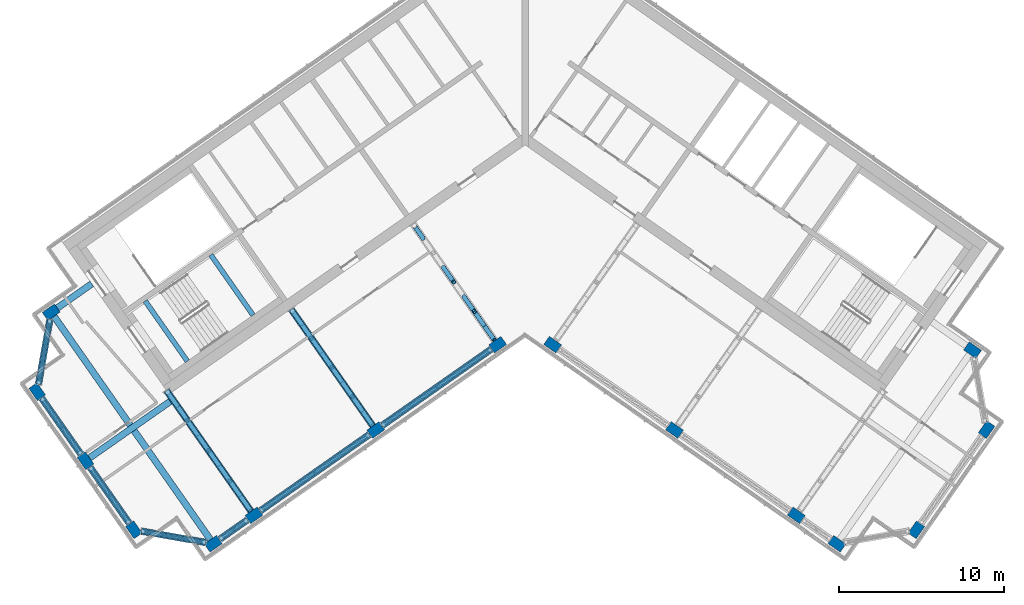
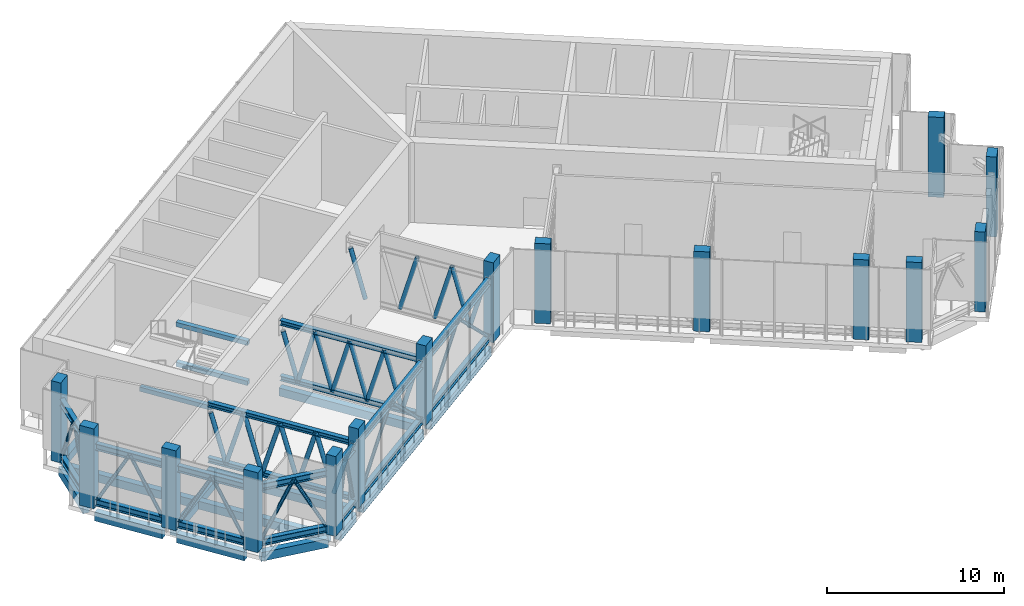
# One storey, part 1 of 16: 53 members, 15 beams, 15 columns.
"""IFC4 building model written with IfcOpenShell, lengths in metres."""

import ifcopenshell
import ifcopenshell.guid

model = None  # the IFC model being written
_history = None  # IfcOwnerHistory: only IFC2X3 demands one
_inside = {}  # id of a spatial element -> (the spatial element, [elements in it])
_under = {}  # id of a project, library or spatial element -> (it, [spatial elements below it])
_declared = {}  # id of a project -> (the project, [libraries it declares])
_typed = {}  # id of a type object -> (the type object, [elements of that type])
_made_of = {}  # id of a material, layer set ... -> (it, [elements and type objects made of it])


def new_model(schema):
    """Start an empty IFC model of exactly this schema.

    Asked for "IFC4X3", IfcOpenShell would pick the latest addendum, in which some entities
    have other attributes; the version numbers below select the first issue.
    IFC2X3 requires an IfcOwnerHistory on every rooted entity: one is made here for all.
    """
    global model, _history
    if schema == "IFC4X3":
        model = ifcopenshell.file(schema_version=(4, 3, 0, 0))
    else:
        model = ifcopenshell.file(schema=schema)
    _inside.clear()
    _under.clear()
    _declared.clear()
    _typed.clear()
    _made_of.clear()
    _history = None
    if model.schema == "IFC2X3":
        org = make("IfcOrganization", Name="unknown")
        user = make(
            "IfcPersonAndOrganization",
            ThePerson=make("IfcPerson", FamilyName="unknown"),
            TheOrganization=org,
        )
        app = make(
            "IfcApplication",
            ApplicationDeveloper=org,
            Version="unknown",
            ApplicationFullName="unknown",
            ApplicationIdentifier="unknown",
        )
        _history = make(
            "IfcOwnerHistory",
            OwningUser=user,
            OwningApplication=app,
            ChangeAction="ADDED",
            CreationDate=0,
        )
    return model


def make(cls, **values):
    """One entity of the class cls with the attributes given. An attribute that is None is left unset."""
    return model.create_entity(
        cls, **{name: value for name, value in values.items() if value is not None}
    )


def rooted(cls, **values):
    """An entity with a GlobalId (a new one), such as an element, a storey or a relation."""
    return make(cls, GlobalId=ifcopenshell.guid.new(), OwnerHistory=_history, **values)


def si_unit(unit_type, name, prefix=None):
    """IfcSIUnit, for example si_unit("LENGTHUNIT", "METRE", prefix="MILLI")."""
    return make("IfcSIUnit", UnitType=unit_type, Prefix=prefix, Name=name)


def assignment(units):
    """IfcUnitAssignment: the units of a project."""
    return None if units is None else make("IfcUnitAssignment", Units=units)


def point(xyz):
    """IfcCartesianPoint."""
    return None if xyz is None else make("IfcCartesianPoint", Coordinates=xyz)


def direction(xyz):
    """IfcDirection."""
    return None if xyz is None else make("IfcDirection", DirectionRatios=xyz)


def frame(location, z_axis=None, x_axis=None):
    """IfcAxis2Placement3D, a coordinate frame: its origin and axes. An axis left out is left unset."""
    return make(
        "IfcAxis2Placement3D",
        Location=point(location),
        Axis=direction(z_axis),
        RefDirection=direction(x_axis),
    )


def frame_2d(location, x_axis=None):
    """IfcAxis2Placement2D, a coordinate frame in the plane: its origin and x axis."""
    return make(
        "IfcAxis2Placement2D", Location=point(location), RefDirection=direction(x_axis)
    )


def origin():
    """The frame at (0, 0, 0) with its axes left unset."""
    return frame((0.0, 0.0, 0.0))


def origin_2d():
    """The frame at (0, 0) in the plane with its x axis left unset."""
    return frame_2d((0.0, 0.0))


def place(relative_to, where):
    """IfcLocalPlacement: puts the frame where relative to a parent placement (None: the world)."""
    return make(
        "IfcLocalPlacement", PlacementRelTo=relative_to, RelativePlacement=where
    )


def context(
    kind, dimensions, precision=None, world=None, true_north=None, identifier=None
):
    """IfcGeometricRepresentationContext, for example the 3D "Model" context."""
    return make(
        "IfcGeometricRepresentationContext",
        ContextIdentifier=identifier,
        ContextType=kind,
        CoordinateSpaceDimension=dimensions,
        Precision=precision,
        WorldCoordinateSystem=world,
        TrueNorth=true_north,
    )


def subcontext(parent, identifier, kind, view, scale=None):
    """IfcGeometricRepresentationSubContext, for example "Body" below "Model"."""
    return make(
        "IfcGeometricRepresentationSubContext",
        ContextIdentifier=identifier,
        ContextType=kind,
        ParentContext=parent,
        TargetScale=scale,
        TargetView=view,
    )


def project(units=None, contexts=None):
    """IfcProject with its units and contexts."""
    return rooted(
        "IfcProject",
        Name="project",
        RepresentationContexts=contexts,
        UnitsInContext=assignment(units),
    )


def spatial(cls, under=None, at=None, **own):
    """A site, building, storey or space (cls), placed at a placement, below another one or the project."""
    s = rooted(cls, ObjectPlacement=at, **own)
    if under is not None:
        _under.setdefault(under.id(), (under, []))[1].append(s)
    return s


def profile(cls, at=None, kind="AREA", **sizes):
    """A parametric profile (cls). Its sizes go by their IFC names, for example OverallWidth=200.0."""
    return make(cls, ProfileType=kind, Position=at, **sizes)


def rectangle(**sizes):
    """IfcRectangleProfileDef."""
    return profile("IfcRectangleProfileDef", **sizes)


def hollow_circle(**sizes):
    """IfcCircleHollowProfileDef."""
    return profile("IfcCircleHollowProfileDef", **sizes)


def i_section(**sizes):
    """IfcIShapeProfileDef."""
    return profile("IfcIShapeProfileDef", **sizes)


def extrude(swept, where, along, depth):
    """IfcExtrudedAreaSolid: the profile swept, set in the frame where, extruded along a direction by depth."""
    return make(
        "IfcExtrudedAreaSolid",
        SweptArea=swept,
        Position=where,
        ExtrudedDirection=direction(along),
        Depth=depth,
    )


def shape(context_of_items, identifier, shape_type, items):
    """IfcShapeRepresentation: the items that make up one representation, for example the "Body"."""
    return make(
        "IfcShapeRepresentation",
        ContextOfItems=context_of_items,
        RepresentationIdentifier=identifier,
        RepresentationType=shape_type,
        Items=items,
    )


def material(Name=None, Category=None):
    """IfcMaterial."""
    return make("IfcMaterial", Name=Name, Category=Category)


def material_profile(
    of_material, cross_section, Name=None, Category=None, Priority=None
):
    """IfcMaterialProfile: a cross section and its material."""
    return make(
        "IfcMaterialProfile",
        Name=Name,
        Material=of_material,
        Profile=cross_section,
        Priority=Priority,
        Category=Category,
    )


def profile_set(profiles, Name=None, composite=None):
    """IfcMaterialProfileSet."""
    return make(
        "IfcMaterialProfileSet",
        Name=Name,
        MaterialProfiles=profiles,
        CompositeProfile=composite,
    )


def made_of(thing, what):
    """Note that an element or type object is made of a material, layer set ...; save() writes the relation."""
    if what is not None:
        _made_of.setdefault(what.id(), (what, []))[1].append(thing)
    return thing


def type_object(cls, material=None, **own):
    """A type object (cls), such as IfcWallType, which elements share."""
    return made_of(rooted(cls, **own), material)


def element(
    cls,
    number,
    at=None,
    inside=None,
    cuts=None,
    type_object=None,
    material=None,
    context=None,
    identifier="Body",
    shape_type=None,
    held_by="IfcProductDefinitionShape",
    body=None,
    shapes=None,
    **own,
):
    """One element of the class cls, such as IfcWall. Its Tag is "e" and its number.

    at: its placement. inside: the storey or other place that contains it. cuts: it is an
    opening in that element (IfcRelVoidsElement). A single representation is given by context,
    identifier, shape_type and body (its items); several are given by shapes. held_by: the class
    of the entity that holds the representations. save() writes the other relations.
    """
    e = rooted(cls, Tag="e%d" % number, ObjectPlacement=at, **own)
    if body is not None:
        shapes = [shape(context, identifier, shape_type, body)]
    if shapes is not None:
        e.Representation = make(held_by, Representations=shapes)
    if inside is not None:
        _inside.setdefault(inside.id(), (inside, []))[1].append(e)
    if cuts is not None:
        rooted(
            "IfcRelVoidsElement", RelatingBuildingElement=cuts, RelatedOpeningElement=e
        )
    if type_object is not None:
        _typed.setdefault(type_object.id(), (type_object, []))[1].append(e)
    return made_of(e, material)


def aggregate(whole, parts):
    """IfcRelAggregates: a whole, such as a stair, and the parts it consists of."""
    return rooted("IfcRelAggregates", RelatingObject=whole, RelatedObjects=parts)


def save(model, path):
    """Write the relations noted so far, then the file.

    IfcRelAggregates (storeys below a building ...), IfcRelContainedInSpatialStructure (elements
    in a storey), IfcRelDefinesByType, IfcRelAssociatesMaterial and IfcRelDeclares: one each for
    every whole, place, type object, material and project.
    """
    for whole, parts in _under.values():
        aggregate(whole, parts)
    for where, things in _inside.values():
        rooted(
            "IfcRelContainedInSpatialStructure",
            RelatedElements=things,
            RelatingStructure=where,
        )
    for kind, things in _typed.values():
        rooted("IfcRelDefinesByType", RelatedObjects=things, RelatingType=kind)
    for what, things in _made_of.values():
        rooted("IfcRelAssociatesMaterial", RelatedObjects=things, RelatingMaterial=what)
    for by, libraries in _declared.values():
        rooted("IfcRelDeclares", RelatingContext=by, RelatedDefinitions=libraries)
    model.write(path)


model = new_model("IFC4")

# Units and contexts
model_context = context("Model", 3, precision=1e-05, world=origin(), true_north=direction((0.0, 1.0)))
body_context = subcontext(model_context, "Body", "Model", "MODEL_VIEW")
ifc_project = project(units=[si_unit("LENGTHUNIT", "METRE"), si_unit("AREAUNIT", "SQUARE_METRE"), si_unit("VOLUMEUNIT", "CUBIC_METRE"), si_unit("PLANEANGLEUNIT", "RADIAN"), si_unit("MASSUNIT", "GRAM", prefix="KILO")], contexts=[model_context])

# Site, building, storey
site_placement = place(None, origin())
site = spatial("IfcSite", under=ifc_project, at=site_placement, CompositionType="ELEMENT")
building_placement = place(site_placement, origin())
building = spatial("IfcBuilding", under=site, at=building_placement, Name="Tel Ilan Convention Tower", CompositionType="ELEMENT")
storey_placement = place(building_placement, frame((0.0, 0.0, 313.300048828125)))
storey = spatial("IfcBuildingStorey", under=building, at=storey_placement, Name="L74", CompositionType="ELEMENT", Elevation=313.300048828125)

# Columns
ifc_material_1 = material(Name="Concrete C40/50", Category="concrete")
ifc_material_profile_1 = material_profile(ifc_material_1, rectangle(XDim=0.89990234375, YDim=0.60009765625, at=origin_2d()), Name="RC 600x900")
ifc_profile_set_1 = profile_set([ifc_material_profile_1], Name="Concrete C40/50")
column_type = type_object("IfcColumnType", Name="Column RC 600x900 C40/50", PredefinedType="COLUMN", material=ifc_profile_set_1)
for number, where, z_axis, x_axis, name in (
    (1, (-1.665283203125, -13.312744140625, 0.0), (0.0, 0.0, 1.0), (-0.819152044289, -0.573576436351, 0.0), "L74 column W-F1"),
    (2, (-9.03759765625, -18.474853515625, 0.0), (0.0, 0.0, 1.0), (-0.819152044289, -0.573576436351, 0.0), "L74 column W-F2"),
    (3, (-16.409912109375, -23.63720703125, 0.0), (0.0, 0.0, 1.0), (-0.819152044289, -0.573576436351, 0.0), "L74 column W-F3"),
    (4, (-18.867431640625, -25.35791015625, 0.0), (0.0, 0.0, 1.0), (-0.819152044289, -0.573576436351, 0.0), "L74 column W-FC"),
    (5, (-28.675537109375, -11.350341796875, 0.0), (0.0, 0.0, 1.0), (-0.819152044289, -0.573576436351, 0.0), "L74 column W-BC"),
    (6, (-23.67236328125, -24.510498046875, 0.0), (0.0, 0.0, 1.0), (-0.573576436351, 0.819152044289, 0.0), "L74 column W-E1"),
    (7, (-26.59765625, -20.3330078125, 0.0), (0.0, 0.0, 1.0), (-0.573576436351, 0.819152044289, 0.0), "L74 column W-E2"),
    (8, (-29.52294921875, -16.1552734375, 0.0), (0.0, 0.0, 1.0), (-0.573576436351, 0.819152044289, 0.0), "L74 column W-E3"),
    (9, (1.665283203125, -13.312744140625, 0.0), (0.0, 0.0, 1.0), (0.819152044289, -0.573576436351, 0.0), "L74 column E-F1"),
    (10, (9.03759765625, -18.474853515625, 0.0), (0.0, 0.0, 1.0), (0.819152044289, -0.573576436351, 0.0), "L74 column E-F2"),
    (11, (16.409912109375, -23.63720703125, 0.0), (0.0, 0.0, 1.0), (0.819152044289, -0.573576436351, 0.0), "L74 column E-F3"),
    (12, (18.867431640625, -25.35791015625, 0.0), (0.0, 0.0, 1.0), (0.819152044289, -0.573576436351, 0.0), "L74 column E-FC"),
    (13, (27.069580078125, -13.64404296875, 0.0), (0.0, 0.0, 1.0), (0.819152044289, -0.573576436351, 0.0), "L74 column E-BC"),
    (14, (23.67236328125, -24.510498046875, 0.0), (0.0, 0.0, 1.0), (0.573576436351, 0.819152044289, 0.0), "L74 column E-E1"),
    (15, (27.9169921875, -18.448974609375, 0.0), (0.0, 0.0, 1.0), (0.573576436351, 0.819152044289, 0.0), "L74 column E-E2"),
):
    element("IfcColumn", number, at=place(storey_placement, frame(where, z_axis=z_axis, x_axis=x_axis)), inside=storey, type_object=column_type, Name=name, PredefinedType="COLUMN", context=body_context, shape_type="SweptSolid", body=[
        extrude(rectangle(XDim=0.89990234375, YDim=0.60009765625, at=origin_2d()), origin(), (0.0, 0.0, 1.0), 5.5),
    ])

# Beams
ifc_material_2 = material(Name="Concrete C40/50", Category="concrete")
ifc_material_profile_2 = material_profile(ifc_material_2, rectangle(XDim=0.39990234375, YDim=0.550048828125, at=origin_2d()), Name="RC 400x550")
ifc_profile_set_2 = profile_set([ifc_material_profile_2], Name="Concrete C40/50")
beam_type_1 = type_object("IfcBeamType", Name="Beam RC 400x550 Concrete C40/50", PredefinedType="BEAM", material=ifc_profile_set_2)
beam_1_placement = place(storey_placement, frame((-28.306884765625, -11.09228515625, -0.554931640625), z_axis=(0.819119449707, 0.573622983424, 0.0), x_axis=(-0.573622983424, 0.819119449707, 0.0)))
element("IfcBeam", 16, at=beam_1_placement, inside=storey, type_object=beam_type_1, Name="L74 beam W-W-BC-core", PredefinedType="BEAM", context=body_context, shape_type="SweptSolid", body=[
    extrude(rectangle(XDim=0.39990234375, YDim=0.550048828125, at=origin_2d()), origin(), (0.0, 0.0, 1.0), 2.5498046875),
])
beam_2_placement = place(storey_placement, frame((-9.209716796875, -18.229248046875, -0.554931640625), z_axis=(-0.573574099654, 0.819153680457, 0.0), x_axis=(-0.819153680457, -0.573574099654, 0.0)))
element("IfcBeam", 17, at=beam_2_placement, inside=storey, type_object=beam_type_1, Name="L74 beam W-W-F2-core", PredefinedType="BEAM", context=body_context, shape_type="SweptSolid", body=[
    extrude(rectangle(XDim=0.39990234375, YDim=0.550048828125, at=origin_2d()), origin(), (0.0, 0.0, 1.0), 8.64990234375),
])
beam_3_placement = place(storey_placement, frame((-16.58203125, -23.391357421875, -0.554931640625), z_axis=(-0.573584999642, 0.819146048141, 0.0), x_axis=(-0.819146048141, -0.573584999642, 0.0)))
element("IfcBeam", 18, at=beam_3_placement, inside=storey, type_object=beam_type_1, Name="L74 beam W-W-F3-core", PredefinedType="BEAM", context=body_context, shape_type="SweptSolid", body=[
    extrude(rectangle(XDim=0.39990234375, YDim=0.550048828125, at=origin_2d()), origin(), (0.0, 0.0, 1.0), 8.949951171875),
])
beam_4_placement = place(storey_placement, frame((-21.477783203125, -16.748046875, -0.554931640625), z_axis=(-0.819150951061, -0.57357799764, 0.0), x_axis=(0.57357799764, -0.819150951061, 0.0)))
element("IfcBeam", 19, at=beam_4_placement, inside=storey, type_object=beam_type_1, Name="L74 beam W-core-end", PredefinedType="BEAM", context=body_context, shape_type="SweptSolid", body=[
    extrude(rectangle(XDim=0.39990234375, YDim=0.550048828125, at=origin_2d()), origin(), (0.0, 0.0, 1.0), 5.9501953125),
])
beam_5_placement = place(storey_placement, frame((-19.03955078125, -25.112060546875, -0.554931640625), z_axis=(-0.573584483202, 0.819146409765, 0.0), x_axis=(-0.819146409765, -0.573584483202, 0.0)))
element("IfcBeam", 20, at=beam_5_placement, inside=storey, type_object=beam_type_1, Name="L74 beam W-W-FC-W-BC", PredefinedType="BEAM", context=body_context, shape_type="SweptSolid", body=[
    extrude(rectangle(XDim=0.39990234375, YDim=0.550048828125, at=origin_2d()), origin(), (0.0, 0.0, 1.0), 16.5),
])
ifc_material_3 = material(Name="Concrete C40/50", Category="concrete")
ifc_material_profile_3 = material_profile(ifc_material_3, rectangle(XDim=0.39990234375, YDim=0.60009765625, at=origin_2d()), Name="RC 400x600")
ifc_profile_set_3 = profile_set([ifc_material_profile_3], Name="Concrete C40/50")
beam_type_2 = type_object("IfcBeamType", Name="Beam RC 400x600 Concrete C40/50", PredefinedType="BEAM", material=ifc_profile_set_3)
beam_6_placement = place(storey_placement, frame((-2.033935546875, -13.57080078125, -0.580078125), z_axis=(-0.81914553362, -0.573585734437, 0.0), x_axis=(0.573585734437, -0.81914553362, 0.0)))
element("IfcBeam", 21, at=beam_6_placement, inside=storey, type_object=beam_type_2, Name="L74 beam W-W-F1-W-F2", PredefinedType="BEAM", context=body_context, shape_type="SweptSolid", body=[
    extrude(rectangle(XDim=0.39990234375, YDim=0.60009765625, at=origin_2d()), origin(), (0.0, 0.0, 1.0), 8.099853515625),
])
beam_7_placement = place(storey_placement, frame((-9.40625, -18.73291015625, -0.580078125), z_axis=(-0.819155449703, -0.573571572885, 0.0), x_axis=(0.573571572885, -0.819155449703, 0.0)))
element("IfcBeam", 22, at=beam_7_placement, inside=storey, type_object=beam_type_2, Name="L74 beam W-W-F2-W-F3", PredefinedType="BEAM", context=body_context, shape_type="SweptSolid", body=[
    extrude(rectangle(XDim=0.39990234375, YDim=0.60009765625, at=origin_2d()), origin(), (0.0, 0.0, 1.0), 8.10009765625),
])
beam_8_placement = place(storey_placement, frame((-16.778564453125, -23.895263671875, -0.580078125), z_axis=(-0.819188222026, -0.573524765719, 0.0), x_axis=(0.573524765719, -0.819188222026, 0.0)))
element("IfcBeam", 23, at=beam_8_placement, inside=storey, type_object=beam_type_2, Name="L74 beam W-W-F3-W-FC", PredefinedType="BEAM", context=body_context, shape_type="SweptSolid", body=[
    extrude(rectangle(XDim=0.39990234375, YDim=0.60009765625, at=origin_2d()), origin(), (0.0, 0.0, 1.0), 2.099853515625),
])
beam_9_placement = place(storey_placement, frame((-19.285400390625, -25.2841796875, -0.580078125), z_axis=(-0.984804894423, 0.173664388751, 0.0), x_axis=(-0.173664388751, -0.984804894423, 0.0)))
element("IfcBeam", 24, at=beam_9_placement, inside=storey, type_object=beam_type_2, Name="L74 beam W-W-FC-W-E1", PredefinedType="BEAM", context=body_context, shape_type="SweptSolid", body=[
    extrude(rectangle(XDim=0.39990234375, YDim=0.60009765625, at=origin_2d()), origin(), (0.0, 0.0, 1.0), 4.030517578125),
])
for number, where, z_axis, x_axis, name in (
    (25, (-23.930419921875, -24.14208984375, -0.580078125), (-0.573602778367, 0.819133598779, 0.0), (-0.819133598779, -0.573602778367, 0.0), "L74 beam W-W-E1-W-E2"),
    (26, (-26.855712890625, -19.96435546875, -0.580078125), (-0.573602778367, 0.819133598779, 0.0), (-0.819133598779, -0.573602778367, 0.0), "L74 beam W-W-E2-W-E3"),
):
    element("IfcBeam", number, at=place(storey_placement, frame(where, z_axis=z_axis, x_axis=x_axis)), inside=storey, type_object=beam_type_2, Name=name, PredefinedType="BEAM", context=body_context, shape_type="SweptSolid", body=[
        extrude(rectangle(XDim=0.39990234375, YDim=0.60009765625, at=origin_2d()), origin(), (0.0, 0.0, 1.0), 4.2001953125),
    ])
beam_10_placement = place(storey_placement, frame((-29.44921875, -15.737548828125, -0.580078125), z_axis=(0.173664388751, 0.984804894423, 0.0), x_axis=(-0.984804894423, 0.173664388751, 0.0)))
element("IfcBeam", 27, at=beam_10_placement, inside=storey, type_object=beam_type_2, Name="L74 beam W-W-E3-W-BC", PredefinedType="BEAM", context=body_context, shape_type="SweptSolid", body=[
    extrude(rectangle(XDim=0.39990234375, YDim=0.60009765625, at=origin_2d()), origin(), (0.0, 0.0, 1.0), 4.030517578125),
])

# Members
ifc_material_4 = material(Name="Steel S355", Category="steel")
ifc_material_profile_4 = material_profile(ifc_material_4, i_section(OverallWidth=0.300048828125, OverallDepth=0.449951171875, WebThickness=0.013916015625, FlangeThickness=0.02587890625, FilletRadius=0.027099609375, at=origin_2d()), Name="HEB 450")
ifc_profile_set_4 = profile_set([ifc_material_profile_4], Name="Steel S355")
member_type_1 = type_object("IfcMemberType", Name="Belt Truss Chord HEB 450 Steel S355", PredefinedType="CHORD", material=ifc_profile_set_4)
for number, where, z_axis, x_axis, name in (
    (28, (-2.054443359375, -13.585205078125, 0.349853515625), (-0.819160673808, -0.573564111924, 0.0), (0.573564111924, -0.819160673808, 0.0), "L74 W-F1-W-F2 belt member"),
    (29, (-2.054443359375, -13.585205078125, 4.169921875), (-0.819160673808, -0.573564111924, 0.0), (0.573564111924, -0.819160673808, 0.0), "L74 W-F1-W-F2 belt member"),
    (30, (-9.4267578125, -18.747314453125, 0.349853515625), (-0.819146424436, -0.573584462249, 0.0), (0.573584462249, -0.819146424436, 0.0), "L74 W-F2-W-F3 belt member"),
    (31, (-9.4267578125, -18.747314453125, 4.169921875), (-0.819146424436, -0.573584462249, 0.0), (0.573584462249, -0.819146424436, 0.0), "L74 W-F2-W-F3 belt member"),
):
    element("IfcMember", number, at=place(storey_placement, frame(where, z_axis=z_axis, x_axis=x_axis)), inside=storey, type_object=member_type_1, Name=name, PredefinedType="CHORD", context=body_context, shape_type="SweptSolid", body=[
        extrude(i_section(OverallWidth=0.300048828125, OverallDepth=0.449951171875, WebThickness=0.013916015625, FlangeThickness=0.02587890625, FilletRadius=0.027099609375, at=origin_2d()), origin(), (0.0, 0.0, 1.0), 8.050048828125),
    ])
for number, where, z_axis, x_axis, name in (
    (32, (-16.799072265625, -23.90966796875, 0.349853515625), (-0.819192756091, -0.57351828948, 0.0), (0.57351828948, -0.819192756091, 0.0), "L74 W-F3-W-FC belt member"),
    (33, (-16.799072265625, -23.90966796875, 4.169921875), (-0.819192756091, -0.57351828948, 0.0), (0.57351828948, -0.819192756091, 0.0), "L74 W-F3-W-FC belt member"),
):
    element("IfcMember", number, at=place(storey_placement, frame(where, z_axis=z_axis, x_axis=x_axis)), inside=storey, type_object=member_type_1, Name=name, PredefinedType="CHORD", context=body_context, shape_type="SweptSolid", body=[
        extrude(i_section(OverallWidth=0.300048828125, OverallDepth=0.449951171875, WebThickness=0.013916015625, FlangeThickness=0.02587890625, FilletRadius=0.027099609375, at=origin_2d()), origin(), (0.0, 0.0, 1.0), 2.050048828125),
    ])
for number, where, z_axis, x_axis, name in (
    (34, (-19.309814453125, -25.27978515625, 0.349853515625), (-0.984810714056, 0.173631383913, 0.0), (-0.173631383913, -0.984810714056, 0.0), "L74 W-FC-W-E1 belt member"),
    (35, (-19.309814453125, -25.27978515625, 4.169921875), (-0.984810714056, 0.173631383913, 0.0), (-0.173631383913, -0.984810714056, 0.0), "L74 W-FC-W-E1 belt member"),
):
    element("IfcMember", number, at=place(storey_placement, frame(where, z_axis=z_axis, x_axis=x_axis)), inside=storey, type_object=member_type_1, Name=name, PredefinedType="CHORD", context=body_context, shape_type="SweptSolid", body=[
        extrude(i_section(OverallWidth=0.300048828125, OverallDepth=0.449951171875, WebThickness=0.013916015625, FlangeThickness=0.02587890625, FilletRadius=0.027099609375, at=origin_2d()), origin(), (0.0, 0.0, 1.0), 3.980712890625),
    ])
for number, where, z_axis, x_axis, name in (
    (36, (-23.94482421875, -24.12158203125, 0.349853515625), (-0.573561042841, 0.819162822725, 0.0), (-0.819162822725, -0.573561042841, 0.0), "L74 W-E1-W-E2 belt member"),
    (37, (-23.94482421875, -24.12158203125, 4.169921875), (-0.573561042841, 0.819162822725, 0.0), (-0.819162822725, -0.573561042841, 0.0), "L74 W-E1-W-E2 belt member"),
):
    element("IfcMember", number, at=place(storey_placement, frame(where, z_axis=z_axis, x_axis=x_axis)), inside=storey, type_object=member_type_1, Name=name, PredefinedType="CHORD", context=body_context, shape_type="SweptSolid", body=[
        extrude(i_section(OverallWidth=0.300048828125, OverallDepth=0.449951171875, WebThickness=0.013916015625, FlangeThickness=0.02587890625, FilletRadius=0.027099609375, at=origin_2d()), origin(), (0.0, 0.0, 1.0), 4.150146484375),
    ])
for number, where, z_axis, x_axis, name in (
    (38, (-26.8701171875, -19.94384765625, 0.349853515625), (-0.573588683011, 0.819143468949, 0.0), (-0.819143468949, -0.573588683011, 0.0), "L74 W-E2-W-E3 belt member"),
    (39, (-26.8701171875, -19.94384765625, 4.169921875), (-0.573588683011, 0.819143468949, 0.0), (-0.819143468949, -0.573588683011, 0.0), "L74 W-E2-W-E3 belt member"),
):
    element("IfcMember", number, at=place(storey_placement, frame(where, z_axis=z_axis, x_axis=x_axis)), inside=storey, type_object=member_type_1, Name=name, PredefinedType="CHORD", context=body_context, shape_type="SweptSolid", body=[
        extrude(i_section(OverallWidth=0.300048828125, OverallDepth=0.449951171875, WebThickness=0.013916015625, FlangeThickness=0.02587890625, FilletRadius=0.027099609375, at=origin_2d()), origin(), (0.0, 0.0, 1.0), 4.14990234375),
    ])
for number, where, z_axis, x_axis, name in (
    (40, (-29.44482421875, -15.712890625, 0.349853515625), (0.173631383913, 0.984810714056, 0.0), (-0.984810714056, 0.173631383913, 0.0), "L74 W-E3-W-BC belt member"),
    (41, (-29.44482421875, -15.712890625, 4.169921875), (0.173631383913, 0.984810714056, 0.0), (-0.984810714056, 0.173631383913, 0.0), "L74 W-E3-W-BC belt member"),
):
    element("IfcMember", number, at=place(storey_placement, frame(where, z_axis=z_axis, x_axis=x_axis)), inside=storey, type_object=member_type_1, Name=name, PredefinedType="CHORD", context=body_context, shape_type="SweptSolid", body=[
        extrude(i_section(OverallWidth=0.300048828125, OverallDepth=0.449951171875, WebThickness=0.013916015625, FlangeThickness=0.02587890625, FilletRadius=0.027099609375, at=origin_2d()), origin(), (0.0, 0.0, 1.0), 3.980712890625),
    ])
ifc_material_5 = material(Name="Steel S355", Category="steel")
ifc_material_profile_5 = material_profile(ifc_material_5, hollow_circle(Radius=0.109619140625, WallThickness=0.010009765625, at=origin_2d()), Name="CHS 219.1x10")
ifc_profile_set_5 = profile_set([ifc_material_profile_5], Name="Steel S355")
member_type_2 = type_object("IfcMemberType", Name="Belt Truss Diagonal CHS 219.1x10 Steel S355", PredefinedType="BRACE", material=ifc_profile_set_5)
for number, where, z_axis, x_axis, name in (
    (42, (-2.1279296875, -13.63671875, 0.458251953125), (-0.595920432861, -0.417243592987, 0.686138923113), (0.573553942528, -0.819167794174, 0.0), "L74 W-F1-W-F2 belt member"),
    (43, (-5.3515625, -15.893798828125, 4.169921875), (-0.595920432861, -0.417243592987, -0.686138923113), (0.573553942528, -0.819167794174, 0.0), "L74 W-F1-W-F2 belt member"),
    (44, (-9.500244140625, -18.798828125, 0.458251953125), (-0.595920432861, -0.417243592987, 0.686138923113), (0.573553942528, -0.819167794174, 0.0), "L74 W-F2-W-F3 belt member"),
):
    element("IfcMember", number, at=place(storey_placement, frame(where, z_axis=z_axis, x_axis=x_axis)), inside=storey, type_object=member_type_2, Name=name, PredefinedType="BRACE", context=body_context, shape_type="SweptSolid", body=[
        extrude(hollow_circle(Radius=0.109619140625, WallThickness=0.010009765625, at=origin_2d()), origin(), (0.0, 0.0, 1.0), 5.409423828125),
    ])
member_1_placement = place(storey_placement, frame((-12.723876953125, -21.055908203125, 4.169921875), z_axis=(-0.595909210818, -0.417280866648, -0.686126002125), x_axis=(0.573595570946, -0.819138645768, 0.0)))
element("IfcMember", 45, at=member_1_placement, inside=storey, type_object=member_type_2, Name="L74 W-F2-W-F3 belt member", PredefinedType="BRACE", context=body_context, shape_type="SweptSolid", body=[
    extrude(hollow_circle(Radius=0.109619140625, WallThickness=0.010009765625, at=origin_2d()), origin(), (0.0, 0.0, 1.0), 5.40966796875),
])
for number, where, z_axis, x_axis, name in (
    (46, (-16.889892578125, -23.97314453125, 0.844482421875), (-0.217112934127, -0.15205692289, 0.964230608328), (0.573659491166, -0.819093882406, 0.0), "L74 W-F3-W-FC belt member"),
    (47, (-17.638671875, -24.49755859375, 4.169921875), (-0.217115270648, -0.15198776853, -0.964240985163), (0.573480270919, -0.819219371638, 0.0), "L74 W-F3-W-FC belt member"),
):
    element("IfcMember", number, at=place(storey_placement, frame(where, z_axis=z_axis, x_axis=x_axis)), inside=storey, type_object=member_type_2, Name=name, PredefinedType="BRACE", context=body_context, shape_type="SweptSolid", body=[
        extrude(hollow_circle(Radius=0.109619140625, WallThickness=0.010009765625, at=origin_2d()), origin(), (0.0, 0.0, 1.0), 3.44873046875),
    ])
member_2_placement = place(storey_placement, frame((-19.41455078125, -25.261474609375, 0.5986328125), z_axis=(-0.459521481571, 0.081081356156, 0.884457925318), x_axis=(-0.173763157884, -0.984787471977, 0.0)))
element("IfcMember", 48, at=member_2_placement, inside=storey, type_object=member_type_2, Name="L74 W-FC-W-E1 belt member", PredefinedType="BRACE", context=body_context, shape_type="SweptSolid", body=[
    extrude(hollow_circle(Radius=0.109619140625, WallThickness=0.010009765625, at=origin_2d()), origin(), (0.0, 0.0, 1.0), 4.037841796875),
])
member_3_placement = place(storey_placement, frame((-21.27001953125, -24.93408203125, 4.169921875), z_axis=(-0.459478285723, 0.080963472113, -0.884491165096), x_axis=(-0.173533957077, -0.984827886354, 0.0)))
element("IfcMember", 49, at=member_3_placement, inside=storey, type_object=member_type_2, Name="L74 W-FC-W-E1 belt member", PredefinedType="BRACE", context=body_context, shape_type="SweptSolid", body=[
    extrude(hollow_circle(Radius=0.109619140625, WallThickness=0.010009765625, at=origin_2d()), origin(), (0.0, 0.0, 1.0), 4.03759765625),
])
for number, where, z_axis, x_axis, name in (
    (50, (-24.00537109375, -24.034912109375, 0.587646484375), (-0.276339285418, 0.394591238115, 0.876318637333), (-0.819109589969, -0.573637062628, 0.0), "L74 W-E1-W-E2 belt member"),
    (51, (-25.135009765625, -22.421875, 4.169921875), (-0.276332772874, 0.394641660503, -0.876297984952), (-0.819150379241, -0.573578814278, 0.0), "L74 W-E1-W-E2 belt member"),
    (52, (-26.9306640625, -19.857421875, 0.587646484375), (-0.276332772874, 0.394641660503, 0.876297984952), (-0.819150379241, -0.573578814278, 0.0), "L74 W-E2-W-E3 belt member"),
    (53, (-28.060302734375, -18.244140625, 4.169921875), (-0.276277610052, 0.394648172768, -0.876312445373), (-0.819208623045, -0.573495625031, 0.0), "L74 W-E2-W-E3 belt member"),
):
    element("IfcMember", number, at=place(storey_placement, frame(where, z_axis=z_axis, x_axis=x_axis)), inside=storey, type_object=member_type_2, Name=name, PredefinedType="BRACE", context=body_context, shape_type="SweptSolid", body=[
        extrude(hollow_circle(Radius=0.109619140625, WallThickness=0.010009765625, at=origin_2d()), origin(), (0.0, 0.0, 1.0), 4.087890625),
    ])
member_4_placement = place(storey_placement, frame((-29.426513671875, -15.608154296875, 0.5986328125), z_axis=(0.081021289859, 0.459523733529, 0.884462259745), x_axis=(-0.984809637697, 0.173637488752, 0.0)))
element("IfcMember", 54, at=member_4_placement, inside=storey, type_object=member_type_2, Name="L74 W-E3-W-BC belt member", PredefinedType="BRACE", context=body_context, shape_type="SweptSolid", body=[
    extrude(hollow_circle(Radius=0.109619140625, WallThickness=0.010009765625, at=origin_2d()), origin(), (0.0, 0.0, 1.0), 4.037841796875),
])
member_5_placement = place(storey_placement, frame((-29.099365234375, -13.752685546875, 4.169921875), z_axis=(0.081023540939, 0.459476035521, -0.884486833478), x_axis=(-0.984805730108, 0.173659649736, 0.0)))
element("IfcMember", 55, at=member_5_placement, inside=storey, type_object=member_type_2, Name="L74 W-E3-W-BC belt member", PredefinedType="BRACE", context=body_context, shape_type="SweptSolid", body=[
    extrude(hollow_circle(Radius=0.109619140625, WallThickness=0.010009765625, at=origin_2d()), origin(), (0.0, 0.0, 1.0), 4.03759765625),
])

# Beams
ifc_material_6 = material(Name="Concrete C40/50", Category="concrete")
ifc_material_profile_6 = material_profile(ifc_material_6, rectangle(XDim=0.300048828125, YDim=0.300048828125, at=origin_2d()), Name="RC 300x300")
ifc_profile_set_6 = profile_set([ifc_material_profile_6], Name="Concrete C40/50")
beam_type_3 = type_object("IfcBeamType", Name="Landing Beam RC 300x300 Concrete C40/50", PredefinedType="BEAM", material=ifc_profile_set_6)
beam_11_placement = place(storey_placement, frame((-16.461181640625, -11.526123046875, 1.02490234375), z_axis=(-0.573609622671, 0.819128805976, 0.0), x_axis=(-0.819128805976, -0.573609622671, 0.0)))
element("IfcBeam", 56, at=beam_11_placement, inside=storey, type_object=beam_type_3, Name="S2 landing beam L74.1", PredefinedType="BEAM", context=body_context, shape_type="SweptSolid", body=[
    extrude(rectangle(XDim=0.300048828125, YDim=0.300048828125, at=origin_2d()), origin(), (0.0, 0.0, 1.0), 4.449951171875),
])
beam_12_placement = place(storey_placement, frame((-20.4375, -14.310546875, 2.39990234375), z_axis=(-0.573583844845, 0.819146856756, 0.0), x_axis=(-0.819146856756, -0.573583844845, 0.0)))
element("IfcBeam", 57, at=beam_12_placement, inside=storey, type_object=beam_type_3, Name="S2 landing beam L74.2", PredefinedType="BEAM", context=body_context, shape_type="SweptSolid", body=[
    extrude(rectangle(XDim=0.300048828125, YDim=0.300048828125, at=origin_2d()), origin(), (0.0, 0.0, 1.0), 4.4501953125),
])
beam_13_placement = place(storey_placement, frame((-16.461181640625, -11.526123046875, 3.77490234375), z_axis=(-0.573609622671, 0.819128805976, 0.0), x_axis=(-0.819128805976, -0.573609622671, 0.0)))
element("IfcBeam", 58, at=beam_13_placement, inside=storey, type_object=beam_type_3, Name="S2 landing beam L74.3", PredefinedType="BEAM", context=body_context, shape_type="SweptSolid", body=[
    extrude(rectangle(XDim=0.300048828125, YDim=0.300048828125, at=origin_2d()), origin(), (0.0, 0.0, 1.0), 4.449951171875),
])

# Members
ifc_material_7 = material(Name="Steel S355", Category="steel")
ifc_material_profile_7 = material_profile(ifc_material_7, i_section(OverallWidth=0.300048828125, OverallDepth=0.340087890625, WebThickness=0.011962890625, FlangeThickness=0.021484375, FilletRadius=0.027099609375, at=origin_2d()), Name="HEB 340")
ifc_profile_set_7 = profile_set([ifc_material_profile_7], Name="Steel S355")
member_type_3 = type_object("IfcMemberType", Name="Outrigger Chord HEB 340 Steel S355", PredefinedType="CHORD", material=ifc_profile_set_7)
for number, where, z_axis, x_axis, name in (
    (59, (-9.209716796875, -18.229248046875, 0.349853515625), (-0.573587793123, 0.819144092075, 0.0), (-0.819144092075, -0.573587793123, 0.0), "L74 W-F2 outrigger member"),
    (60, (-9.209716796875, -18.229248046875, 4.169921875), (-0.573587793123, 0.819144092075, 0.0), (-0.819144092075, -0.573587793123, 0.0), "L74 W-F2 outrigger member"),
):
    element("IfcMember", number, at=place(storey_placement, frame(where, z_axis=z_axis, x_axis=x_axis)), inside=storey, type_object=member_type_3, Name=name, PredefinedType="CHORD", context=body_context, shape_type="SweptSolid", body=[
        extrude(i_section(OverallWidth=0.300048828125, OverallDepth=0.340087890625, WebThickness=0.011962890625, FlangeThickness=0.021484375, FilletRadius=0.027099609375, at=origin_2d()), origin(), (0.0, 0.0, 1.0), 8.6201171875),
    ])
for number, where, z_axis, x_axis, name in (
    (61, (-16.58203125, -23.391357421875, 0.349853515625), (-0.573585409399, 0.81914576122, 0.0), (-0.81914576122, -0.573585409399, 0.0), "L74 W-F3 outrigger member"),
    (62, (-16.58203125, -23.391357421875, 4.169921875), (-0.573585409399, 0.81914576122, 0.0), (-0.81914576122, -0.573585409399, 0.0), "L74 W-F3 outrigger member"),
):
    element("IfcMember", number, at=place(storey_placement, frame(where, z_axis=z_axis, x_axis=x_axis)), inside=storey, type_object=member_type_3, Name=name, PredefinedType="CHORD", context=body_context, shape_type="SweptSolid", body=[
        extrude(i_section(OverallWidth=0.300048828125, OverallDepth=0.340087890625, WebThickness=0.011962890625, FlangeThickness=0.021484375, FilletRadius=0.027099609375, at=origin_2d()), origin(), (0.0, 0.0, 1.0), 8.920166015625),
    ])
ifc_material_8 = material(Name="Steel S355", Category="steel")
ifc_material_profile_8 = material_profile(ifc_material_8, hollow_circle(Radius=0.136474609375, WallThickness=0.012451171875, at=origin_2d()), Name="CHS 273x12.5")
ifc_profile_set_8 = profile_set([ifc_material_profile_8], Name="Steel S355")
member_type_4 = type_object("IfcMemberType", Name="Outrigger Diagonal CHS 273x12.5 Steel S355", PredefinedType="BRACE", material=ifc_profile_set_8)
member_6_placement = place(storey_placement, frame((-1.83740234375, -13.06689453125, 4.169921875), z_axis=(-0.156197461194, 0.223042595177, -0.962213257991), x_axis=(-0.819115195216, -0.573629058684, 0.0)))
element("IfcMember", 63, at=member_6_placement, inside=storey, type_object=member_type_4, Name="L74 W-F1 outrigger member", PredefinedType="BRACE", context=body_context, shape_type="SweptSolid", body=[
    extrude(hollow_circle(Radius=0.136474609375, WallThickness=0.012451171875, at=origin_2d()), origin(), (0.0, 0.0, 1.0), 3.969970703125),
])
for number, where, z_axis, x_axis, name in (
    (64, (-2.45751953125, -12.181396484375, 0.349853515625), (-0.156195318535, 0.223101029782, 0.962200058708), (-0.819189486731, -0.573522959288, 0.0), "L74 W-F1 outrigger member"),
    (65, (-3.07763671875, -11.295654296875, 4.169921875), (-0.156255311617, 0.223098886481, -0.962190814985), (-0.819083401876, -0.573674455393, 0.0), "L74 W-F1 outrigger member"),
    (66, (-4.318115234375, -9.524169921875, 4.169921875), (-0.156195318535, 0.223101029782, -0.962200058708), (-0.819189486731, -0.573522959288, 0.0), "L74 W-F1 outrigger member"),
):
    element("IfcMember", number, at=place(storey_placement, frame(where, z_axis=z_axis, x_axis=x_axis)), inside=storey, type_object=member_type_4, Name=name, PredefinedType="BRACE", context=body_context, shape_type="SweptSolid", body=[
        extrude(hollow_circle(Radius=0.136474609375, WallThickness=0.012451171875, at=origin_2d()), origin(), (0.0, 0.0, 1.0), 3.97021484375),
    ])
member_7_placement = place(storey_placement, frame((-6.1787109375, -6.866943359375, 0.349853515625), z_axis=(-0.156186661832, 0.223082252561, 0.962205817514), x_axis=(-0.81918174131, -0.573534022273, 0.0)))
element("IfcMember", 67, at=member_7_placement, inside=storey, type_object=member_type_4, Name="L74 W-F1 outrigger member", PredefinedType="BRACE", context=body_context, shape_type="SweptSolid", body=[
    extrude(hollow_circle(Radius=0.136474609375, WallThickness=0.012451171875, at=origin_2d()), origin(), (0.0, 0.0, 1.0), 3.357666015625),
])
for number, where, z_axis, x_axis, name in (
    (68, (-9.209716796875, -18.229248046875, 4.169921875), (-0.156195318535, 0.223101029782, -0.962200058708), (-0.819189486731, -0.573522959288, 0.0), "L74 W-F2 outrigger member"),
    (69, (-9.829833984375, -17.343505859375, 0.349853515625), (-0.156255311617, 0.223098886481, 0.962190814985), (-0.819083401876, -0.573674455393, 0.0), "L74 W-F2 outrigger member"),
    (70, (-10.4501953125, -16.457763671875, 4.169921875), (-0.156195318535, 0.223101029782, -0.962200058708), (-0.819189486731, -0.573522959288, 0.0), "L74 W-F2 outrigger member"),
    (71, (-11.0703125, -15.572021484375, 0.349853515625), (-0.156195318535, 0.223101029782, 0.962200058708), (-0.819189486731, -0.573522959288, 0.0), "L74 W-F2 outrigger member"),
):
    element("IfcMember", number, at=place(storey_placement, frame(where, z_axis=z_axis, x_axis=x_axis)), inside=storey, type_object=member_type_4, Name=name, PredefinedType="BRACE", context=body_context, shape_type="SweptSolid", body=[
        extrude(hollow_circle(Radius=0.136474609375, WallThickness=0.012451171875, at=origin_2d()), origin(), (0.0, 0.0, 1.0), 3.97021484375),
    ])
member_8_placement = place(storey_placement, frame((-11.6904296875, -14.686279296875, 4.169921875), z_axis=(-0.156197461194, 0.223042595177, -0.962213257991), x_axis=(-0.819115195216, -0.573629058684, 0.0)))
element("IfcMember", 72, at=member_8_placement, inside=storey, type_object=member_type_4, Name="L74 W-F2 outrigger member", PredefinedType="BRACE", context=body_context, shape_type="SweptSolid", body=[
    extrude(hollow_circle(Radius=0.136474609375, WallThickness=0.012451171875, at=origin_2d()), origin(), (0.0, 0.0, 1.0), 3.969970703125),
])
member_9_placement = place(storey_placement, frame((-12.310546875, -13.80078125, 0.349853515625), z_axis=(-0.156253167674, 0.223157318178, 0.962177612988), x_axis=(-0.819157681794, -0.573568385075, 0.0)))
element("IfcMember", 73, at=member_9_placement, inside=storey, type_object=member_type_4, Name="L74 W-F2 outrigger member", PredefinedType="BRACE", context=body_context, shape_type="SweptSolid", body=[
    extrude(hollow_circle(Radius=0.136474609375, WallThickness=0.012451171875, at=origin_2d()), origin(), (0.0, 0.0, 1.0), 3.97021484375),
])
member_10_placement = place(storey_placement, frame((-12.930908203125, -12.914794921875, 4.169921875), z_axis=(-0.156197461194, 0.223042595177, -0.962213257991), x_axis=(-0.819115195216, -0.573629058684, 0.0)))
element("IfcMember", 74, at=member_10_placement, inside=storey, type_object=member_type_4, Name="L74 W-F2 outrigger member", PredefinedType="BRACE", context=body_context, shape_type="SweptSolid", body=[
    extrude(hollow_circle(Radius=0.136474609375, WallThickness=0.012451171875, at=origin_2d()), origin(), (0.0, 0.0, 1.0), 3.969970703125),
])
member_11_placement = place(storey_placement, frame((-13.551025390625, -12.029296875, 0.349853515625), z_axis=(-0.156186661832, 0.223082252561, 0.962205817514), x_axis=(-0.81918174131, -0.573534022273, 0.0)))
element("IfcMember", 75, at=member_11_placement, inside=storey, type_object=member_type_4, Name="L74 W-F2 outrigger member", PredefinedType="BRACE", context=body_context, shape_type="SweptSolid", body=[
    extrude(hollow_circle(Radius=0.136474609375, WallThickness=0.012451171875, at=origin_2d()), origin(), (0.0, 0.0, 1.0), 3.357666015625),
])
for number, where, z_axis, x_axis, name in (
    (76, (-16.58203125, -23.391357421875, 4.169921875), (-0.161247304426, 0.230186813812, -0.959694398005), (-0.819037072618, -0.573740597899, 0.0), "L74 W-F3 outrigger member"),
    (77, (-17.223876953125, -22.47509765625, 0.349853515625), (-0.161185288192, 0.230247173467, 0.959690336505), (-0.819211415764, -0.573491635756, 0.0), "L74 W-F3 outrigger member"),
    (78, (-17.865478515625, -21.55859375, 4.169921875), (-0.161185288192, 0.230247173467, -0.959690336505), (-0.819211415764, -0.573491635756, 0.0), "L74 W-F3 outrigger member"),
    (79, (-18.507080078125, -20.64208984375, 0.349853515625), (-0.161185288192, 0.230247173467, 0.959690336505), (-0.819211415764, -0.573491635756, 0.0), "L74 W-F3 outrigger member"),
    (80, (-19.148681640625, -19.7255859375, 4.169921875), (-0.161245027634, 0.230244896819, -0.959680847236), (-0.81910889168, -0.57363805973, 0.0), "L74 W-F3 outrigger member"),
    (81, (-19.79052734375, -18.80908203125, 0.349853515625), (-0.161187564186, 0.23018908995, 0.959703887676), (-0.819139624372, -0.573594173421, 0.0), "L74 W-F3 outrigger member"),
    (82, (-20.43212890625, -17.892822265625, 4.169921875), (-0.161245027634, 0.230244896819, -0.959680847236), (-0.81910889168, -0.57363805973, 0.0), "L74 W-F3 outrigger member"),
):
    element("IfcMember", number, at=place(storey_placement, frame(where, z_axis=z_axis, x_axis=x_axis)), inside=storey, type_object=member_type_4, Name=name, PredefinedType="BRACE", context=body_context, shape_type="SweptSolid", body=[
        extrude(hollow_circle(Radius=0.136474609375, WallThickness=0.012451171875, at=origin_2d()), origin(), (0.0, 0.0, 1.0), 3.98046875),
    ])
member_12_placement = place(storey_placement, frame((-21.073974609375, -16.976318359375, 0.349853515625), z_axis=(-0.161211547383, 0.230178668906, 0.95970235874), x_axis=(-0.819087321113, -0.573668859527, 0.0)))
element("IfcMember", 83, at=member_12_placement, inside=storey, type_object=member_type_4, Name="L74 W-F3 outrigger member", PredefinedType="BRACE", context=body_context, shape_type="SweptSolid", body=[
    extrude(hollow_circle(Radius=0.136474609375, WallThickness=0.012451171875, at=origin_2d()), origin(), (0.0, 0.0, 1.0), 3.3876953125),
])

save(model, "model.ifc")
